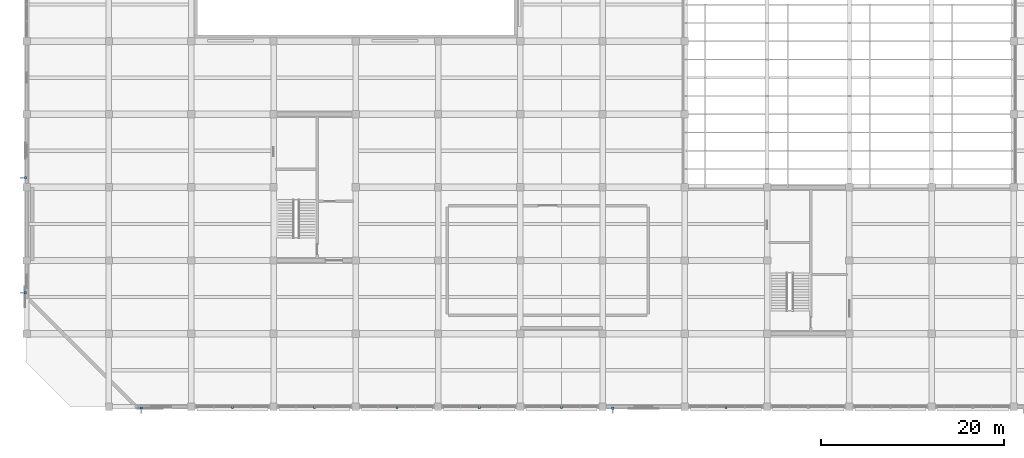
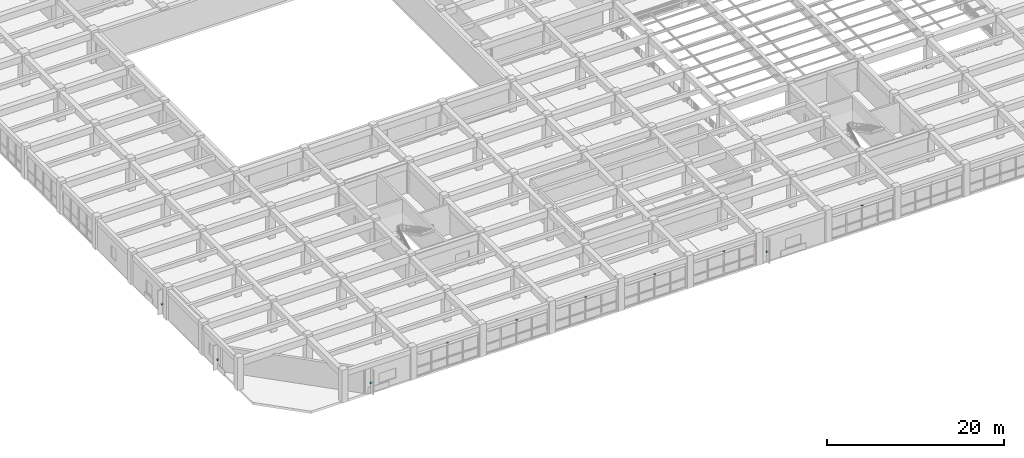
# One storey, part 36 of 50: 10 discrete accessories.
"""IFC4 building model written with IfcOpenShell, lengths in metres."""

from ifc_helpers import new_model, si_unit, direction, frame, origin, origin_2d, place, context, subcontext, project, spatial, rectangle, extrude, material, layer, layer_set, type_object, element, save


model = new_model("IFC4")

# Units and contexts
model_context = context("Model", 3, precision=1e-05, world=origin(), true_north=direction((0.0, 1.0)))
body_context = subcontext(model_context, "Body", "Model", "MODEL_VIEW")
ifc_project = project(units=[si_unit("LENGTHUNIT", "METRE"), si_unit("AREAUNIT", "SQUARE_METRE"), si_unit("VOLUMEUNIT", "CUBIC_METRE"), si_unit("PLANEANGLEUNIT", "RADIAN"), si_unit("MASSUNIT", "GRAM", prefix="KILO")], contexts=[model_context])

# Site, building, storey
site_placement = place(None, origin())
site = spatial("IfcSite", under=ifc_project, at=site_placement, CompositionType="ELEMENT")
building_placement = place(site_placement, origin())
building = spatial("IfcBuilding", under=site, at=building_placement, Name="Zaverband Oceanarium and Marine Research Institute", CompositionType="ELEMENT")
storey_placement = place(building_placement, frame((0.0, 0.0, 9.0)))
storey = spatial("IfcBuildingStorey", under=building, at=storey_placement, Name="L02", CompositionType="ELEMENT", Elevation=9.0)

# Discrete accessories
ifc_material = material(Name="Steel S355", Category="steel")
ifc_layer = layer(ifc_material, 0.179931640625, Name="Steel S355")
ifc_layer_set = layer_set([ifc_layer], Name="Steel S355")
discrete_accessory_type = type_object("IfcDiscreteAccessoryType", Name="BRK-STL-200", PredefinedType="BRACKET", material=ifc_layer_set)
for number, where, z_axis, x_axis, name in (
    (1, (12.52001953125, -0.132568359375, 1.22021484375), (0.0, 0.0, 1.0), (1.0, 0.0, 0.0), "Galvanized steel facade fin structural bracket BRK-STL-200"),
    (2, (22.5, -0.080078125, 3.18994140625), (0.0, 0.0, 1.0), (1.0, 0.0, 0.0), "Galvanized steel facade fin structural bracket BRK-STL-200"),
    (3, (31.5, -0.080078125, 3.18994140625), (0.0, 0.0, 1.0), (1.0, 0.0, 0.0), "Galvanized steel facade fin structural bracket BRK-STL-200"),
    (4, (40.5, -0.080078125, 3.18994140625), (0.0, 0.0, 1.0), (1.0, 0.0, 0.0), "Galvanized steel facade fin structural bracket BRK-STL-200"),
    (5, (49.5, -0.080078125, 3.18994140625), (0.0, 0.0, 1.0), (1.0, 0.0, 0.0), "Galvanized steel facade fin structural bracket BRK-STL-200"),
    (6, (58.5, -0.080078125, 3.18994140625), (0.0, 0.0, 1.0), (1.0, 0.0, 0.0), "Galvanized steel facade fin structural bracket BRK-STL-200"),
    (7, (64.10498046875, -0.155029296875, 1.22021484375), (0.0, 0.0, 1.0), (1.0, 0.0, 0.0), "Galvanized steel facade fin structural bracket BRK-STL-200"),
    (8, (76.5, -0.080078125, 3.18994140625), (0.0, 0.0, 1.0), (1.0, 0.0, 0.0), "Galvanized steel facade fin structural bracket BRK-STL-200"),
    (9, (-0.155029296875, 12.469970703125, 1.22021484375), (0.0, 0.0, 1.0), (1.0, 0.0, 0.0), "Galvanized steel facade fin structural bracket BRK-STL-200"),
    (10, (-0.132568359375, 25.054931640625, 1.22021484375), (0.0, 0.0, 1.0), (1.0, 0.0, 0.0), "Galvanized steel facade fin structural bracket BRK-STL-200"),
):
    element("IfcDiscreteAccessory", number, at=place(storey_placement, frame(where, z_axis=z_axis, x_axis=x_axis)), inside=storey, type_object=discrete_accessory_type, Name=name, PredefinedType="BRACKET", context=body_context, shape_type="SweptSolid", body=[
        extrude(rectangle(XDim=0.239990234375, YDim=0.239990234375, at=origin_2d()), origin(), (0.0, 0.0, 1.0), 0.179931640625),
    ])

save(model, "model.ifc")
